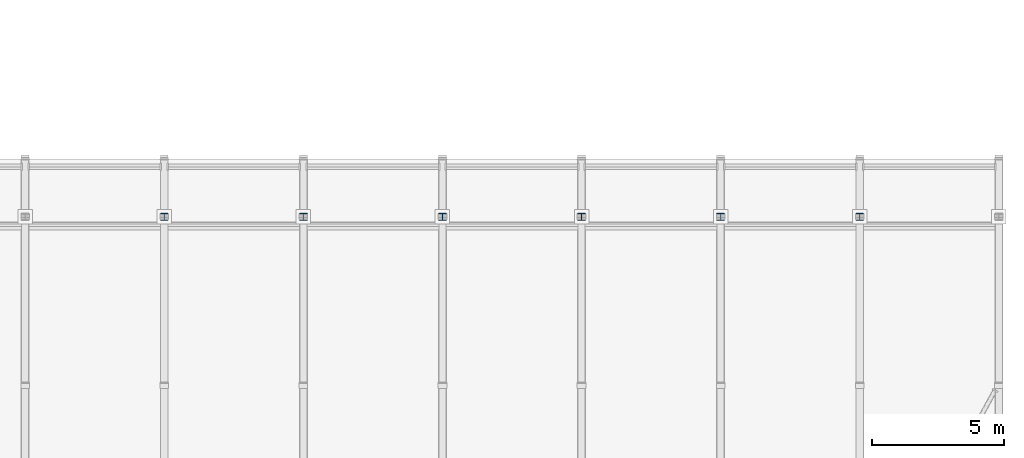
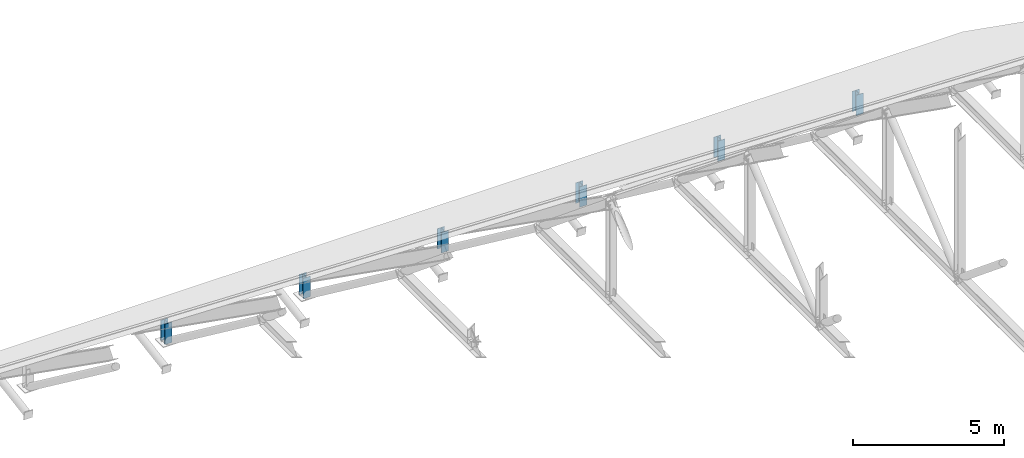
# One storey, part 26 of 57: 6 members.
"""IFC4 building model written with IfcOpenShell, lengths in metres."""

from ifc_helpers import new_model, si_unit, direction, frame, origin, origin_2d, place, context, subcontext, project, spatial, i_section, extrude, material, material_profile, profile_set, type_object, element, save


model = new_model("IFC4")

# Units and contexts
model_context = context("Model", 3, precision=1e-05, world=origin(), true_north=direction((0.0, 1.0)))
body_context = subcontext(model_context, "Body", "Model", "MODEL_VIEW")
ifc_project = project(units=[si_unit("LENGTHUNIT", "METRE"), si_unit("AREAUNIT", "SQUARE_METRE"), si_unit("VOLUMEUNIT", "CUBIC_METRE"), si_unit("PLANEANGLEUNIT", "RADIAN"), si_unit("MASSUNIT", "GRAM", prefix="KILO")], contexts=[model_context])

# Site, building, storey
site_placement = place(None, origin())
site = spatial("IfcSite", under=ifc_project, at=site_placement, CompositionType="ELEMENT")
building_placement = place(site_placement, origin())
building = spatial("IfcBuilding", under=site, at=building_placement, Name="Kelarvand Opera House", CompositionType="ELEMENT")
storey_placement = place(building_placement, frame((0.0, 0.0, 33.60009765625)))
storey = spatial("IfcBuildingStorey", under=building, at=storey_placement, Name="Roof", CompositionType="ELEMENT", Elevation=33.60009765625)

# Members
ifc_material = material(Name="Steel S355", Category="steel")
ifc_material_profile = material_profile(ifc_material, i_section(OverallWidth=0.280029296875, OverallDepth=0.280029296875, WebThickness=0.010498046875, FlangeThickness=0.01806640625, at=origin_2d()), Name="HEB 280", Category="steel")
ifc_profile_set = profile_set([ifc_material_profile], Name="Steel S355")
member_type = type_object("IfcMemberType", Name="Structural Post HEB 280 PS-HEB280", PredefinedType="POST", material=ifc_profile_set)
for number, where, z_axis, x_axis, name in (
    (1, (110.1201171875, 78.39990234375, -9.60009765625), (0.0, 0.0, 1.0), (1.0, 0.0, 0.0), "V1 Roof Truss 5 Bearing Post N"),
    (2, (115.39990234375, 78.39990234375, -9.60009765625), (0.0, 0.0, 1.0), (1.0, 0.0, 0.0), "V1 Roof Truss 6 Bearing Post N"),
    (3, (120.679931640625, 78.39990234375, -9.60009765625), (0.0, 0.0, 1.0), (1.0, 0.0, 0.0), "V1 Roof Truss 7 Bearing Post N"),
    (4, (125.9599609375, 78.39990234375, -9.60009765625), (0.0, 0.0, 1.0), (1.0, 0.0, 0.0), "V1 Roof Truss 8 Bearing Post N"),
    (5, (131.239990234375, 78.39990234375, -9.60009765625), (0.0, 0.0, 1.0), (1.0, 0.0, 0.0), "V1 Roof Truss 9 Bearing Post N"),
    (6, (136.52001953125, 78.39990234375, -9.60009765625), (0.0, 0.0, 1.0), (1.0, 0.0, 0.0), "V1 Roof Truss 10 Bearing Post N"),
):
    element("IfcMember", number, at=place(storey_placement, frame(where, z_axis=z_axis, x_axis=x_axis)), inside=storey, type_object=member_type, Name=name, PredefinedType="POST", context=body_context, shape_type="SweptSolid", body=[
        extrude(i_section(OverallWidth=0.280029296875, OverallDepth=0.280029296875, WebThickness=0.010498046875, FlangeThickness=0.01806640625, at=origin_2d()), origin(), (0.0, 0.0, 1.0), 0.82373046875),
    ])

save(model, "model.ifc")
